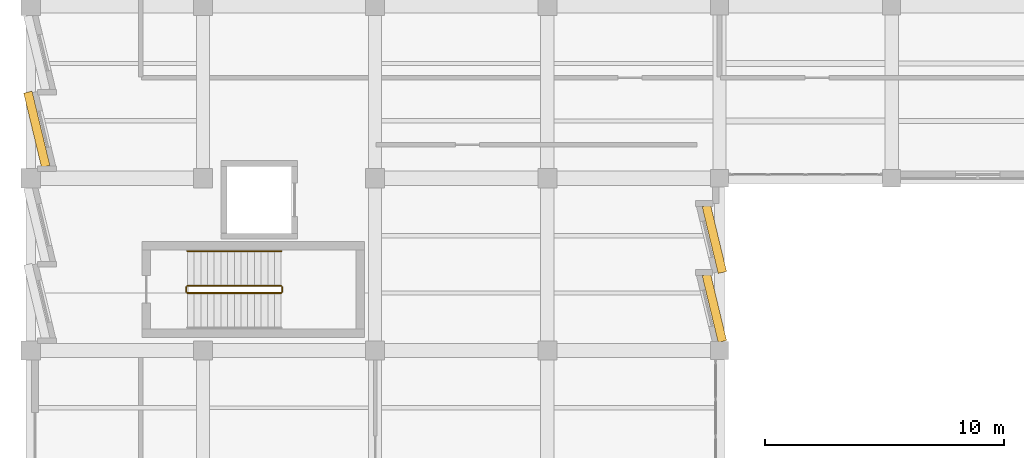
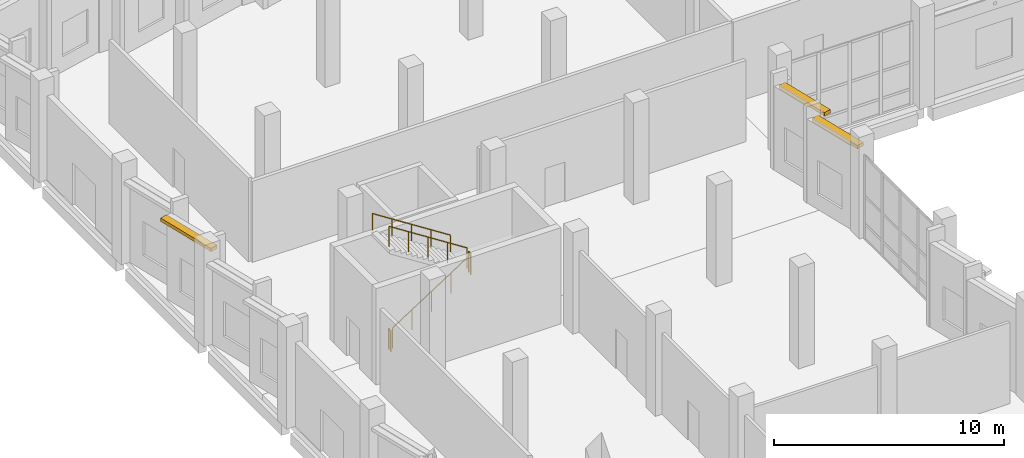
# One storey, part 126 of 137: 5 railings, 3 shading devices.
"""IFC4 building model written with IfcOpenShell, lengths in metres."""

from ifc_helpers import new_model, si_unit, direction, frame, origin, origin_2d, place, context, subcontext, project, spatial, rectangle, circle, extrude, material, layer, layer_set, type_object, element, save


model = new_model("IFC4")

# Units and contexts
model_context = context("Model", 3, precision=1e-05, world=origin(), true_north=direction((0.0, 1.0)))
body_context = subcontext(model_context, "Body", "Model", "MODEL_VIEW")
ifc_project = project(units=[si_unit("LENGTHUNIT", "METRE"), si_unit("AREAUNIT", "SQUARE_METRE"), si_unit("VOLUMEUNIT", "CUBIC_METRE"), si_unit("PLANEANGLEUNIT", "RADIAN"), si_unit("MASSUNIT", "GRAM", prefix="KILO")], contexts=[model_context])

# Site, building, storey
site_placement = place(None, origin())
site = spatial("IfcSite", under=ifc_project, at=site_placement, CompositionType="ELEMENT")
building_placement = place(site_placement, origin())
building = spatial("IfcBuilding", under=site, at=building_placement, Name="Kalmorath City Hall", CompositionType="ELEMENT")
storey_placement = place(building_placement, origin())
storey = spatial("IfcBuildingStorey", under=building, at=storey_placement, Name="L00", CompositionType="ELEMENT", Elevation=0.0)

# Shading devices
ifc_material_1 = material(Name="Precast concrete C40/50", Category="concrete")
ifc_layer = layer(ifc_material_1, 0.179931640625)
ifc_layer_set = layer_set([ifc_layer], Name="Precast concrete C40/50")
shading_device_type = type_object("IfcShadingDeviceType", Name="Precast sawtooth brow sunshade 350", PredefinedType="USERDEFINED", material=ifc_layer_set)
shading_device_placement = place(storey_placement, frame((0.2529296875, 95.646728515625, 4.2509765625), z_axis=(0.0, 0.0, 1.0), x_axis=(-0.233445363856, 0.972369920398, 0.0)))
element("IfcShadingDevice", 1, at=shading_device_placement, inside=storey, type_object=shading_device_type, Name="L00 precast sawtooth hood #21", ObjectType="SUNSHADE", PredefinedType="USERDEFINED", context=body_context, shape_type="SweptSolid", body=[
    extrude(rectangle(XDim=3.19482421875, YDim=0.360107421875, at=origin_2d()), origin(), (0.0, 0.0, 1.0), 0.179931640625),
])
for number, where, z_axis, x_axis, name in (
    (2, (28.5849609375, 91.055908203125, 4.2509765625), (0.0, 0.0, 1.0), (0.233445363856, -0.972369920398, 0.0), "L00 precast sawtooth hood #77"),
    (3, (28.5849609375, 88.171875, 4.2509765625), (0.0, 0.0, 1.0), (0.233445363856, -0.972369920398, 0.0), "L00 precast sawtooth hood #78"),
):
    element("IfcShadingDevice", number, at=place(storey_placement, frame(where, z_axis=z_axis, x_axis=x_axis)), inside=storey, type_object=shading_device_type, Name=name, ObjectType="SUNSHADE", PredefinedType="USERDEFINED", context=body_context, shape_type="SweptSolid", body=[
        extrude(rectangle(XDim=2.87109375, YDim=0.360107421875, at=origin_2d()), origin(), (0.0, 0.0, 1.0), 0.179931640625),
    ])

# Railings
ifc_material_2 = material(Name="Painted steel guardrail", Category="steel")
railing_type_1 = type_object("IfcRailingType", Name="Protected stair guardrail 1100", PredefinedType="GUARDRAIL", material=ifc_material_2)
railing_1_placement = place(storey_placement, frame((6.550048828125, 88.800048828125, 0.179931640625)))
element("IfcRailing", 4, at=railing_1_placement, inside=storey, type_object=railing_type_1, Name="L00 ST-4 stair guard 1", PredefinedType="GUARDRAIL", context=body_context, shape_type="SweptSolid", body=[
    extrude(circle(Radius=0.02392578125, at=origin_2d()), frame((0.0, 0.0, 1.076171875), z_axis=(0.841171666519, 0.0, 0.540768182723), x_axis=(0.0, 1.0, 0.0)), (0.0, 0.0, 1.0), 4.66015625),
    extrude(circle(Radius=0.02099609375, at=origin_2d()), origin(), (0.0, 0.0, 1.0), 1.052001953125),
    extrude(circle(Radius=0.02099609375, at=origin_2d()), frame((0.97998046875, 0.0, 0.6298828125)), (0.0, 0.0, 1.0), 1.052001953125),
    extrude(circle(Radius=0.02099609375, at=origin_2d()), frame((1.9599609375, 0.0, 1.260009765625)), (0.0, 0.0, 1.0), 1.052001953125),
    extrude(circle(Radius=0.02099609375, at=origin_2d()), frame((2.93994140625, 0.0, 1.89013671875)), (0.0, 0.0, 1.0), 1.052001953125),
    extrude(circle(Radius=0.02099609375, at=origin_2d()), frame((3.919921875, 0.0, 2.52001953125)), (0.0, 0.0, 1.0), 1.052001953125),
])
railing_2_placement = place(storey_placement, frame((10.52001953125, 88.85009765625, 2.699951171875)))
element("IfcRailing", 5, at=railing_2_placement, inside=storey, type_object=railing_type_1, Name="L00 ST-4 stair guard 2", PredefinedType="GUARDRAIL", context=body_context, shape_type="SweptSolid", body=[
    extrude(circle(Radius=0.02392578125, at=origin_2d()), frame((0.0, 0.0, 1.076171875), z_axis=(0.0, 1.0, 0.0), x_axis=(-1.0, 0.0, 0.0)), (0.0, 0.0, 1.0), 0.199951171875),
    extrude(circle(Radius=0.02099609375, at=origin_2d()), origin(), (0.0, 0.0, 1.0), 1.052001953125),
    extrude(circle(Radius=0.02099609375, at=origin_2d()), frame((0.0, 0.199951171875, 0.0)), (0.0, 0.0, 1.0), 1.052001953125),
])
railing_3_placement = place(storey_placement, frame((10.469970703125, 89.10009765625, 2.8798828125)))
element("IfcRailing", 6, at=railing_3_placement, inside=storey, type_object=railing_type_1, Name="L00 ST-4 stair guard 3", PredefinedType="GUARDRAIL", context=body_context, shape_type="SweptSolid", body=[
    extrude(circle(Radius=0.02392578125, at=origin_2d()), frame((0.0, 0.0, 1.076171875), z_axis=(-0.841171666519, 0.0, 0.540768182723), x_axis=(0.0, -1.0, 0.0)), (0.0, 0.0, 1.0), 4.66015625),
    extrude(circle(Radius=0.02099609375, at=origin_2d()), origin(), (0.0, 0.0, 1.0), 1.052001953125),
    extrude(circle(Radius=0.02099609375, at=origin_2d()), frame((-0.97998046875, 0.0, 0.6298828125)), (0.0, 0.0, 1.0), 1.052001953125),
    extrude(circle(Radius=0.02099609375, at=origin_2d()), frame((-1.9599609375, 0.0, 1.260009765625)), (0.0, 0.0, 1.0), 1.052001953125),
    extrude(circle(Radius=0.02099609375, at=origin_2d()), frame((-2.93994140625, 0.0, 1.89013671875)), (0.0, 0.0, 1.0), 1.052001953125),
    extrude(circle(Radius=0.02099609375, at=origin_2d()), frame((-3.919921875, 0.0, 2.52001953125)), (0.0, 0.0, 1.0), 1.052001953125),
])
railing_4_placement = place(storey_placement, frame((6.5, 88.85009765625, 0.0)))
element("IfcRailing", 7, at=railing_4_placement, inside=storey, type_object=railing_type_1, Name="L00 ST-4 stair guard 4", PredefinedType="GUARDRAIL", context=body_context, shape_type="SweptSolid", body=[
    extrude(circle(Radius=0.02392578125, at=origin_2d()), frame((0.0, 0.0, 1.076171875), z_axis=(0.0, 1.0, 0.0), x_axis=(-1.0, 0.0, 0.0)), (0.0, 0.0, 1.0), 0.199951171875),
    extrude(circle(Radius=0.02099609375, at=origin_2d()), origin(), (0.0, 0.0, 1.0), 1.052001953125),
    extrude(circle(Radius=0.02099609375, at=origin_2d()), frame((0.0, 0.199951171875, 0.0)), (0.0, 0.0, 1.0), 1.052001953125),
])
ifc_material_3 = material(Name="Brushed stainless steel handrail", Category="steel")
railing_type_2 = type_object("IfcRailingType", Name="Stair pitch handrail 900", PredefinedType="HANDRAIL", material=ifc_material_3)
railing_5_placement = place(storey_placement, frame((10.469970703125, 90.550048828125, 2.8798828125)))
element("IfcRailing", 8, at=railing_5_placement, inside=storey, type_object=railing_type_2, Name="L00 ST-4 stair handrail 2", PredefinedType="HANDRAIL", context=body_context, shape_type="SweptSolid", body=[
    extrude(circle(Radius=0.02392578125, at=origin_2d()), frame((0.0, 0.0, 0.8759765625), z_axis=(-0.841171666519, 0.0, 0.540768182723), x_axis=(0.0, -1.0, 0.0)), (0.0, 0.0, 1.0), 4.66015625),
    extrude(circle(Radius=0.02099609375, at=origin_2d()), origin(), (0.0, 0.0, 1.0), 0.851806640625),
    extrude(circle(Radius=0.02099609375, at=origin_2d()), frame((-0.97998046875, 0.0, 0.6298828125)), (0.0, 0.0, 1.0), 0.851806640625),
    extrude(circle(Radius=0.02099609375, at=origin_2d()), frame((-1.9599609375, 0.0, 1.260009765625)), (0.0, 0.0, 1.0), 0.851806640625),
    extrude(circle(Radius=0.02099609375, at=origin_2d()), frame((-2.93994140625, 0.0, 1.89013671875)), (0.0, 0.0, 1.0), 0.851806640625),
    extrude(circle(Radius=0.02099609375, at=origin_2d()), frame((-3.919921875, 0.0, 2.52001953125)), (0.0, 0.0, 1.0), 0.851806640625),
])

save(model, "model.ifc")
